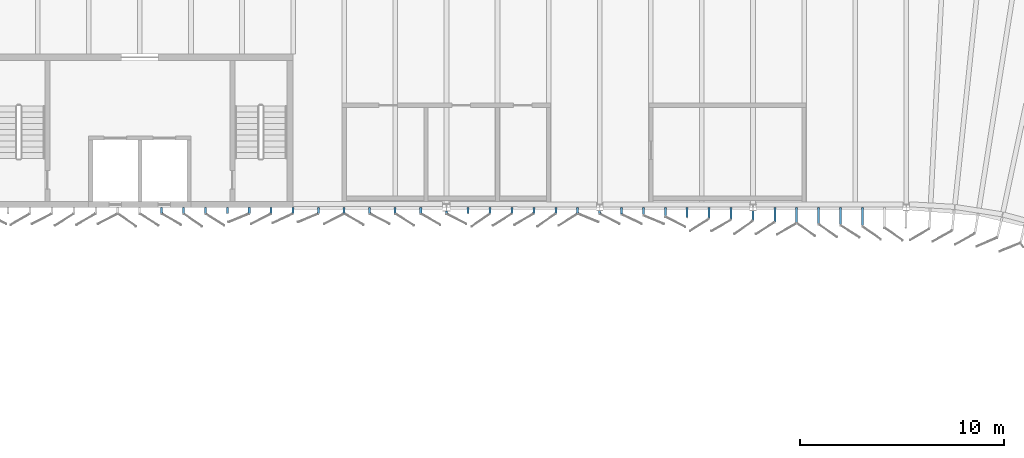
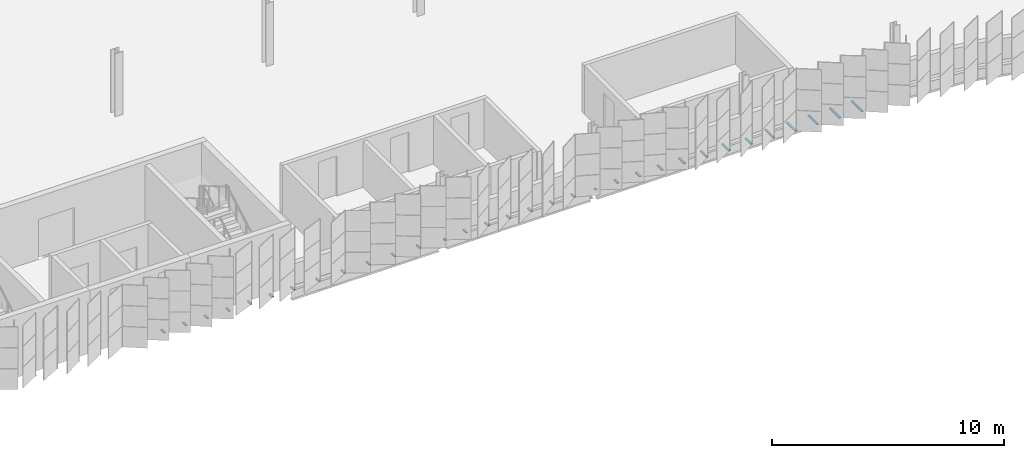
# One storey, part 171 of 199: 32 discrete accessories.
"""IFC4 building model written with IfcOpenShell, lengths in metres."""

from ifc_helpers import new_model, si_unit, direction, frame, origin, origin_2d, place, context, subcontext, project, spatial, rectangle, extrude, material, type_object, element, save


model = new_model("IFC4")

# Units and contexts
model_context = context("Model", 3, precision=1e-05, world=origin(), true_north=direction((0.0, 1.0)))
body_context = subcontext(model_context, "Body", "Model", "MODEL_VIEW")
ifc_project = project(units=[si_unit("LENGTHUNIT", "METRE"), si_unit("AREAUNIT", "SQUARE_METRE"), si_unit("VOLUMEUNIT", "CUBIC_METRE"), si_unit("PLANEANGLEUNIT", "RADIAN"), si_unit("MASSUNIT", "GRAM", prefix="KILO")], contexts=[model_context])

# Site, building, storey
site_placement = place(None, origin())
site = spatial("IfcSite", under=ifc_project, at=site_placement, CompositionType="ELEMENT")
building_placement = place(site_placement, origin())
building = spatial("IfcBuilding", under=site, at=building_placement, Name="Parallax Yard Mobility Hub", CompositionType="ELEMENT")
storey_placement = place(building_placement, frame((0.0, 0.0, 9.89990234375)))
storey = spatial("IfcBuildingStorey", under=building, at=storey_placement, Name="L03", CompositionType="ELEMENT", Elevation=9.89990234375)

# Discrete accessories
ifc_material = material(Name="Steel ASTM A36, hot-dip galvanised", Category="steel")
discrete_accessory_type = type_object("IfcDiscreteAccessoryType", Name="Hinge bracket plate 100x50", PredefinedType="BRACKET", material=ifc_material)
for number, where, z_axis, x_axis, name in (
    (1, (136.064697265625, 112.3583984375, -0.02490234375), (0.0, 0.0, 1.0), (0.0, -1.0, 0.0), "Hinge bracket plate bay 13.9 level L03"),
    (2, (137.136962890625, 112.3583984375, -0.02490234375), (0.0, 0.0, 1.0), (0.0, -1.0, 0.0), "Hinge bracket plate bay 13.10 level L03"),
    (3, (138.209228515625, 112.3583984375, -0.02490234375), (0.0, 0.0, 1.0), (0.0, -1.0, 0.0), "Hinge bracket plate bay 13.11 level L03"),
    (4, (139.281494140625, 112.3583984375, -0.02490234375), (0.0, 0.0, 1.0), (0.0, -1.0, 0.0), "Hinge bracket plate bay 13.12 level L03"),
    (5, (140.353515625, 112.3583984375, -0.02490234375), (0.0, 0.0, 1.0), (0.0, -1.0, 0.0), "Hinge bracket plate bay 13.13 level L03"),
    (6, (141.42578125, 112.3583984375, -0.02490234375), (0.0, 0.0, 1.0), (0.0, -1.0, 0.0), "Hinge bracket plate bay 13.14 level L03"),
    (7, (142.498046875, 112.3583984375, -0.02490234375), (0.0, 0.0, 1.0), (0.0, -1.0, 0.0), "Hinge bracket plate bay 14.1 level L03"),
    (8, (143.747314453125, 112.3583984375, -0.02490234375), (0.0, 0.0, 1.0), (0.0, -1.0, 0.0), "Hinge bracket plate bay 14.2 level L03"),
    (9, (144.99658203125, 112.3583984375, -0.02490234375), (0.0, 0.0, 1.0), (0.0, -1.0, 0.0), "Hinge bracket plate bay 14.3 level L03"),
    (10, (146.245849609375, 112.3583984375, -0.02490234375), (0.0, 0.0, 1.0), (0.0, -1.0, 0.0), "Hinge bracket plate bay 14.4 level L03"),
    (11, (147.4951171875, 112.3583984375, -0.02490234375), (0.0, 0.0, 1.0), (0.0, -1.0, 0.0), "Hinge bracket plate bay 14.5 level L03"),
    (12, (148.744384765625, 112.3583984375, -0.02490234375), (0.0, 0.0, 1.0), (0.0, -1.0, 0.0), "Hinge bracket plate bay 14.6 level L03"),
):
    element("IfcDiscreteAccessory", number, at=place(storey_placement, frame(where, z_axis=z_axis, x_axis=x_axis)), inside=storey, type_object=discrete_accessory_type, Name=name, PredefinedType="BRACKET", context=body_context, shape_type="SweptSolid", body=[
        extrude(rectangle(XDim=0.2841796875, YDim=0.10009765625, at=origin_2d()), origin(), (0.0, 0.0, 1.0), 0.050048828125),
    ])
discrete_accessory_1_placement = place(storey_placement, frame((149.993408203125, 112.266357421875, -0.02490234375), z_axis=(0.0, 0.0, 1.0), x_axis=(0.0, -1.0, 0.0)))
element("IfcDiscreteAccessory", 13, at=discrete_accessory_1_placement, inside=storey, type_object=discrete_accessory_type, Name="Hinge bracket plate bay 15.1 level L03", PredefinedType="BRACKET", context=body_context, shape_type="SweptSolid", body=[
    extrude(rectangle(XDim=0.10009765625, YDim=0.10009765625, at=origin_2d()), origin(), (0.0, 0.0, 1.0), 0.050048828125),
])
for number, where, z_axis, x_axis, name in (
    (14, (151.06494140625, 112.3583984375, -0.02490234375), (0.0, 0.0, 1.0), (0.0, -1.0, 0.0), "Hinge bracket plate bay 15.2 level L03"),
    (15, (152.136474609375, 112.3583984375, -0.02490234375), (0.0, 0.0, 1.0), (0.0, -1.0, 0.0), "Hinge bracket plate bay 15.3 level L03"),
    (16, (153.2080078125, 112.3583984375, -0.02490234375), (0.0, 0.0, 1.0), (0.0, -1.0, 0.0), "Hinge bracket plate bay 15.4 level L03"),
    (17, (154.279541015625, 112.3583984375, -0.02490234375), (0.0, 0.0, 1.0), (0.0, -1.0, 0.0), "Hinge bracket plate bay 15.5 level L03"),
    (18, (155.35107421875, 112.3583984375, -0.02490234375), (0.0, 0.0, 1.0), (0.0, -1.0, 0.0), "Hinge bracket plate bay 15.6 level L03"),
    (19, (156.422607421875, 112.3583984375, -0.02490234375), (0.0, 0.0, 1.0), (0.0, -1.0, 0.0), "Hinge bracket plate bay 15.7 level L03"),
):
    element("IfcDiscreteAccessory", number, at=place(storey_placement, frame(where, z_axis=z_axis, x_axis=x_axis)), inside=storey, type_object=discrete_accessory_type, Name=name, PredefinedType="BRACKET", context=body_context, shape_type="SweptSolid", body=[
        extrude(rectangle(XDim=0.2841796875, YDim=0.10009765625, at=origin_2d()), origin(), (0.0, 0.0, 1.0), 0.050048828125),
    ])
discrete_accessory_2_placement = place(storey_placement, frame((157.494140625, 112.28173828125, -0.02490234375), z_axis=(0.0, 0.0, 1.0), x_axis=(0.0, -1.0, 0.0)))
element("IfcDiscreteAccessory", 20, at=discrete_accessory_2_placement, inside=storey, type_object=discrete_accessory_type, Name="Hinge bracket plate bay 16.1 level L03", PredefinedType="BRACKET", context=body_context, shape_type="SweptSolid", body=[
    extrude(rectangle(XDim=0.130615234375, YDim=0.10009765625, at=origin_2d()), origin(), (0.0, 0.0, 1.0), 0.050048828125),
])
discrete_accessory_3_placement = place(storey_placement, frame((158.565673828125, 112.337890625, -0.02490234375), z_axis=(0.0, 0.0, 1.0), x_axis=(0.0, -1.0, 0.0)))
element("IfcDiscreteAccessory", 21, at=discrete_accessory_3_placement, inside=storey, type_object=discrete_accessory_type, Name="Hinge bracket plate bay 16.2 level L03", PredefinedType="BRACKET", context=body_context, shape_type="SweptSolid", body=[
    extrude(rectangle(XDim=0.3251953125, YDim=0.10009765625, at=origin_2d()), origin(), (0.0, 0.0, 1.0), 0.050048828125),
])
discrete_accessory_4_placement = place(storey_placement, frame((159.63720703125, 112.31103515625, -0.02490234375), z_axis=(0.0, 0.0, 1.0), x_axis=(0.0, -1.0, 0.0)))
element("IfcDiscreteAccessory", 22, at=discrete_accessory_4_placement, inside=storey, type_object=discrete_accessory_type, Name="Hinge bracket plate bay 16.3 level L03", PredefinedType="BRACKET", context=body_context, shape_type="SweptSolid", body=[
    extrude(rectangle(XDim=0.37890625, YDim=0.10009765625, at=origin_2d()), origin(), (0.0, 0.0, 1.0), 0.050048828125),
])
discrete_accessory_5_placement = place(storey_placement, frame((160.70849609375, 112.2841796875, -0.02490234375), z_axis=(0.0, 0.0, 1.0), x_axis=(0.0, -1.0, 0.0)))
element("IfcDiscreteAccessory", 23, at=discrete_accessory_5_placement, inside=storey, type_object=discrete_accessory_type, Name="Hinge bracket plate bay 16.4 level L03", PredefinedType="BRACKET", context=body_context, shape_type="SweptSolid", body=[
    extrude(rectangle(XDim=0.432373046875, YDim=0.10009765625, at=origin_2d()), origin(), (0.0, 0.0, 1.0), 0.050048828125),
])
discrete_accessory_6_placement = place(storey_placement, frame((161.780029296875, 112.257568359375, -0.02490234375), z_axis=(0.0, 0.0, 1.0), x_axis=(0.0, -1.0, 0.0)))
element("IfcDiscreteAccessory", 24, at=discrete_accessory_6_placement, inside=storey, type_object=discrete_accessory_type, Name="Hinge bracket plate bay 16.5 level L03", PredefinedType="BRACKET", context=body_context, shape_type="SweptSolid", body=[
    extrude(rectangle(XDim=0.48583984375, YDim=0.10009765625, at=origin_2d()), origin(), (0.0, 0.0, 1.0), 0.050048828125),
])
discrete_accessory_7_placement = place(storey_placement, frame((162.8515625, 112.230712890625, -0.02490234375), z_axis=(0.0, 0.0, 1.0), x_axis=(0.0, -1.0, 0.0)))
element("IfcDiscreteAccessory", 25, at=discrete_accessory_7_placement, inside=storey, type_object=discrete_accessory_type, Name="Hinge bracket plate bay 16.6 level L03", PredefinedType="BRACKET", context=body_context, shape_type="SweptSolid", body=[
    extrude(rectangle(XDim=0.53955078125, YDim=0.10009765625, at=origin_2d()), origin(), (0.0, 0.0, 1.0), 0.050048828125),
])
discrete_accessory_8_placement = place(storey_placement, frame((163.923095703125, 112.2041015625, -0.02490234375), z_axis=(0.0, 0.0, 1.0), x_axis=(0.0, -1.0, 0.0)))
element("IfcDiscreteAccessory", 26, at=discrete_accessory_8_placement, inside=storey, type_object=discrete_accessory_type, Name="Hinge bracket plate bay 16.7 level L03", PredefinedType="BRACKET", context=body_context, shape_type="SweptSolid", body=[
    extrude(rectangle(XDim=0.593017578125, YDim=0.10009765625, at=origin_2d()), origin(), (0.0, 0.0, 1.0), 0.050048828125),
])
discrete_accessory_9_placement = place(storey_placement, frame((164.99462890625, 112.100341796875, -0.02490234375), z_axis=(0.0, 0.0, 1.0), x_axis=(0.0, -1.0, 0.0)))
element("IfcDiscreteAccessory", 27, at=discrete_accessory_9_placement, inside=storey, type_object=discrete_accessory_type, Name="Hinge bracket plate bay 17.1 level L03", PredefinedType="BRACKET", context=body_context, shape_type="SweptSolid", body=[
    extrude(rectangle(XDim=0.4931640625, YDim=0.10009765625, at=origin_2d()), origin(), (0.0, 0.0, 1.0), 0.050048828125),
])
discrete_accessory_10_placement = place(storey_placement, frame((166.066162109375, 112.150390625, -0.02490234375), z_axis=(0.0, 0.0, 1.0), x_axis=(0.0, -1.0, 0.0)))
element("IfcDiscreteAccessory", 28, at=discrete_accessory_10_placement, inside=storey, type_object=discrete_accessory_type, Name="Hinge bracket plate bay 17.2 level L03", PredefinedType="BRACKET", context=body_context, shape_type="SweptSolid", body=[
    extrude(rectangle(XDim=0.7001953125, YDim=0.10009765625, at=origin_2d()), origin(), (0.0, 0.0, 1.0), 0.050048828125),
])
discrete_accessory_11_placement = place(storey_placement, frame((167.1376953125, 112.12353515625, -0.02490234375), z_axis=(0.0, 0.0, 1.0), x_axis=(0.0, -1.0, 0.0)))
element("IfcDiscreteAccessory", 29, at=discrete_accessory_11_placement, inside=storey, type_object=discrete_accessory_type, Name="Hinge bracket plate bay 17.3 level L03", PredefinedType="BRACKET", context=body_context, shape_type="SweptSolid", body=[
    extrude(rectangle(XDim=0.75390625, YDim=0.10009765625, at=origin_2d()), origin(), (0.0, 0.0, 1.0), 0.050048828125),
])
discrete_accessory_12_placement = place(storey_placement, frame((168.208984375, 112.0966796875, -0.02490234375), z_axis=(0.0, 0.0, 1.0), x_axis=(0.0, -1.0, 0.0)))
element("IfcDiscreteAccessory", 30, at=discrete_accessory_12_placement, inside=storey, type_object=discrete_accessory_type, Name="Hinge bracket plate bay 17.4 level L03", PredefinedType="BRACKET", context=body_context, shape_type="SweptSolid", body=[
    extrude(rectangle(XDim=0.807373046875, YDim=0.10009765625, at=origin_2d()), origin(), (0.0, 0.0, 1.0), 0.050048828125),
])
discrete_accessory_13_placement = place(storey_placement, frame((169.280517578125, 112.070068359375, -0.02490234375), z_axis=(0.0, 0.0, 1.0), x_axis=(0.0, -1.0, 0.0)))
element("IfcDiscreteAccessory", 31, at=discrete_accessory_13_placement, inside=storey, type_object=discrete_accessory_type, Name="Hinge bracket plate bay 17.5 level L03", PredefinedType="BRACKET", context=body_context, shape_type="SweptSolid", body=[
    extrude(rectangle(XDim=0.86083984375, YDim=0.10009765625, at=origin_2d()), origin(), (0.0, 0.0, 1.0), 0.050048828125),
])
discrete_accessory_14_placement = place(storey_placement, frame((170.35205078125, 112.043212890625, -0.02490234375), z_axis=(0.0, 0.0, 1.0), x_axis=(0.0, -1.0, 0.0)))
element("IfcDiscreteAccessory", 32, at=discrete_accessory_14_placement, inside=storey, type_object=discrete_accessory_type, Name="Hinge bracket plate bay 17.6 level L03", PredefinedType="BRACKET", context=body_context, shape_type="SweptSolid", body=[
    extrude(rectangle(XDim=0.91455078125, YDim=0.10009765625, at=origin_2d()), origin(), (0.0, 0.0, 1.0), 0.050048828125),
])

save(model, "model.ifc")
